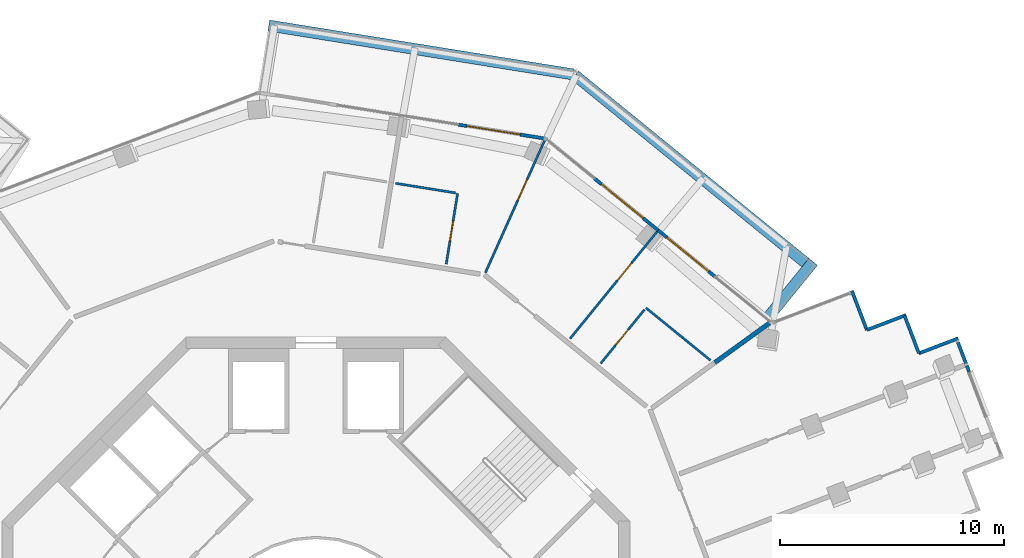
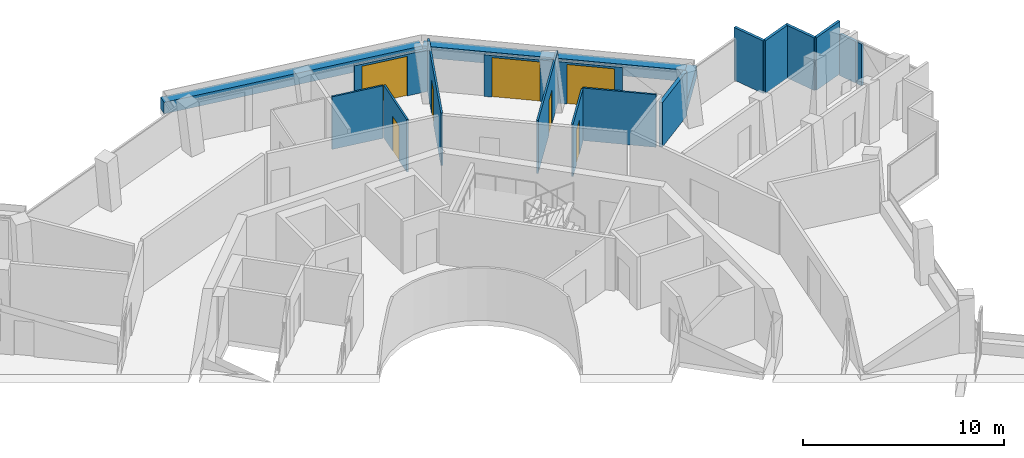
# One storey, part 20 of 23: 19 walls, 7 doors, 7 openings.
"""IFC4 building model written with IfcOpenShell, lengths in metres."""

import ifcopenshell
import ifcopenshell.guid

model = None  # the IFC model being written
_history = None  # IfcOwnerHistory: only IFC2X3 demands one
_inside = {}  # id of a spatial element -> (the spatial element, [elements in it])
_under = {}  # id of a project, library or spatial element -> (it, [spatial elements below it])
_declared = {}  # id of a project -> (the project, [libraries it declares])
_typed = {}  # id of a type object -> (the type object, [elements of that type])
_made_of = {}  # id of a material, layer set ... -> (it, [elements and type objects made of it])


def new_model(schema):
    """Start an empty IFC model of exactly this schema.

    Asked for "IFC4X3", IfcOpenShell would pick the latest addendum, in which some entities
    have other attributes; the version numbers below select the first issue.
    IFC2X3 requires an IfcOwnerHistory on every rooted entity: one is made here for all.
    """
    global model, _history
    if schema == "IFC4X3":
        model = ifcopenshell.file(schema_version=(4, 3, 0, 0))
    else:
        model = ifcopenshell.file(schema=schema)
    _inside.clear()
    _under.clear()
    _declared.clear()
    _typed.clear()
    _made_of.clear()
    _history = None
    if model.schema == "IFC2X3":
        org = make("IfcOrganization", Name="unknown")
        user = make(
            "IfcPersonAndOrganization",
            ThePerson=make("IfcPerson", FamilyName="unknown"),
            TheOrganization=org,
        )
        app = make(
            "IfcApplication",
            ApplicationDeveloper=org,
            Version="unknown",
            ApplicationFullName="unknown",
            ApplicationIdentifier="unknown",
        )
        _history = make(
            "IfcOwnerHistory",
            OwningUser=user,
            OwningApplication=app,
            ChangeAction="ADDED",
            CreationDate=0,
        )
    return model


def make(cls, **values):
    """One entity of the class cls with the attributes given. An attribute that is None is left unset."""
    return model.create_entity(
        cls, **{name: value for name, value in values.items() if value is not None}
    )


def rooted(cls, **values):
    """An entity with a GlobalId (a new one), such as an element, a storey or a relation."""
    return make(cls, GlobalId=ifcopenshell.guid.new(), OwnerHistory=_history, **values)


def si_unit(unit_type, name, prefix=None):
    """IfcSIUnit, for example si_unit("LENGTHUNIT", "METRE", prefix="MILLI")."""
    return make("IfcSIUnit", UnitType=unit_type, Prefix=prefix, Name=name)


def assignment(units):
    """IfcUnitAssignment: the units of a project."""
    return None if units is None else make("IfcUnitAssignment", Units=units)


def point(xyz):
    """IfcCartesianPoint."""
    return None if xyz is None else make("IfcCartesianPoint", Coordinates=xyz)


def direction(xyz):
    """IfcDirection."""
    return None if xyz is None else make("IfcDirection", DirectionRatios=xyz)


def frame(location, z_axis=None, x_axis=None):
    """IfcAxis2Placement3D, a coordinate frame: its origin and axes. An axis left out is left unset."""
    return make(
        "IfcAxis2Placement3D",
        Location=point(location),
        Axis=direction(z_axis),
        RefDirection=direction(x_axis),
    )


def frame_2d(location, x_axis=None):
    """IfcAxis2Placement2D, a coordinate frame in the plane: its origin and x axis."""
    return make(
        "IfcAxis2Placement2D", Location=point(location), RefDirection=direction(x_axis)
    )


def origin():
    """The frame at (0, 0, 0) with its axes left unset."""
    return frame((0.0, 0.0, 0.0))


def place(relative_to, where):
    """IfcLocalPlacement: puts the frame where relative to a parent placement (None: the world)."""
    return make(
        "IfcLocalPlacement", PlacementRelTo=relative_to, RelativePlacement=where
    )


def context(
    kind, dimensions, precision=None, world=None, true_north=None, identifier=None
):
    """IfcGeometricRepresentationContext, for example the 3D "Model" context."""
    return make(
        "IfcGeometricRepresentationContext",
        ContextIdentifier=identifier,
        ContextType=kind,
        CoordinateSpaceDimension=dimensions,
        Precision=precision,
        WorldCoordinateSystem=world,
        TrueNorth=true_north,
    )


def subcontext(parent, identifier, kind, view, scale=None):
    """IfcGeometricRepresentationSubContext, for example "Body" below "Model"."""
    return make(
        "IfcGeometricRepresentationSubContext",
        ContextIdentifier=identifier,
        ContextType=kind,
        ParentContext=parent,
        TargetScale=scale,
        TargetView=view,
    )


def project(units=None, contexts=None):
    """IfcProject with its units and contexts."""
    return rooted(
        "IfcProject",
        Name="project",
        RepresentationContexts=contexts,
        UnitsInContext=assignment(units),
    )


def spatial(cls, under=None, at=None, **own):
    """A site, building, storey or space (cls), placed at a placement, below another one or the project."""
    s = rooted(cls, ObjectPlacement=at, **own)
    if under is not None:
        _under.setdefault(under.id(), (under, []))[1].append(s)
    return s


def profile(cls, at=None, kind="AREA", **sizes):
    """A parametric profile (cls). Its sizes go by their IFC names, for example OverallWidth=200.0."""
    return make(cls, ProfileType=kind, Position=at, **sizes)


def rectangle(**sizes):
    """IfcRectangleProfileDef."""
    return profile("IfcRectangleProfileDef", **sizes)


def extrude(swept, where, along, depth):
    """IfcExtrudedAreaSolid: the profile swept, set in the frame where, extruded along a direction by depth."""
    return make(
        "IfcExtrudedAreaSolid",
        SweptArea=swept,
        Position=where,
        ExtrudedDirection=direction(along),
        Depth=depth,
    )


def shape(context_of_items, identifier, shape_type, items):
    """IfcShapeRepresentation: the items that make up one representation, for example the "Body"."""
    return make(
        "IfcShapeRepresentation",
        ContextOfItems=context_of_items,
        RepresentationIdentifier=identifier,
        RepresentationType=shape_type,
        Items=items,
    )


def material(Name=None, Category=None):
    """IfcMaterial."""
    return make("IfcMaterial", Name=Name, Category=Category)


def layer(
    of_material, thickness, ventilated=None, Name=None, Category=None, Priority=None
):
    """IfcMaterialLayer: one layer of a wall or slab, of a material (None: an air gap)."""
    return make(
        "IfcMaterialLayer",
        Material=of_material,
        LayerThickness=thickness,
        IsVentilated=ventilated,
        Name=Name,
        Category=Category,
        Priority=Priority,
    )


def layer_set(layers, Name=None):
    """IfcMaterialLayerSet."""
    return make("IfcMaterialLayerSet", MaterialLayers=layers, LayerSetName=Name)


def made_of(thing, what):
    """Note that an element or type object is made of a material, layer set ...; save() writes the relation."""
    if what is not None:
        _made_of.setdefault(what.id(), (what, []))[1].append(thing)
    return thing


def type_object(cls, material=None, **own):
    """A type object (cls), such as IfcWallType, which elements share."""
    return made_of(rooted(cls, **own), material)


def element(
    cls,
    number,
    at=None,
    inside=None,
    cuts=None,
    type_object=None,
    material=None,
    context=None,
    identifier="Body",
    shape_type=None,
    held_by="IfcProductDefinitionShape",
    body=None,
    shapes=None,
    **own,
):
    """One element of the class cls, such as IfcWall. Its Tag is "e" and its number.

    at: its placement. inside: the storey or other place that contains it. cuts: it is an
    opening in that element (IfcRelVoidsElement). A single representation is given by context,
    identifier, shape_type and body (its items); several are given by shapes. held_by: the class
    of the entity that holds the representations. save() writes the other relations.
    """
    e = rooted(cls, Tag="e%d" % number, ObjectPlacement=at, **own)
    if body is not None:
        shapes = [shape(context, identifier, shape_type, body)]
    if shapes is not None:
        e.Representation = make(held_by, Representations=shapes)
    if inside is not None:
        _inside.setdefault(inside.id(), (inside, []))[1].append(e)
    if cuts is not None:
        rooted(
            "IfcRelVoidsElement", RelatingBuildingElement=cuts, RelatedOpeningElement=e
        )
    if type_object is not None:
        _typed.setdefault(type_object.id(), (type_object, []))[1].append(e)
    return made_of(e, material)


def fill(opening, filler):
    """IfcRelFillsElement: the door or window that sits in an opening."""
    return rooted(
        "IfcRelFillsElement",
        RelatingOpeningElement=opening,
        RelatedBuildingElement=filler,
    )


def aggregate(whole, parts):
    """IfcRelAggregates: a whole, such as a stair, and the parts it consists of."""
    return rooted("IfcRelAggregates", RelatingObject=whole, RelatedObjects=parts)


def save(model, path):
    """Write the relations noted so far, then the file.

    IfcRelAggregates (storeys below a building ...), IfcRelContainedInSpatialStructure (elements
    in a storey), IfcRelDefinesByType, IfcRelAssociatesMaterial and IfcRelDeclares: one each for
    every whole, place, type object, material and project.
    """
    for whole, parts in _under.values():
        aggregate(whole, parts)
    for where, things in _inside.values():
        rooted(
            "IfcRelContainedInSpatialStructure",
            RelatedElements=things,
            RelatingStructure=where,
        )
    for kind, things in _typed.values():
        rooted("IfcRelDefinesByType", RelatedObjects=things, RelatingType=kind)
    for what, things in _made_of.values():
        rooted("IfcRelAssociatesMaterial", RelatedObjects=things, RelatingMaterial=what)
    for by, libraries in _declared.values():
        rooted("IfcRelDeclares", RelatingContext=by, RelatedDefinitions=libraries)
    model.write(path)


model = new_model("IFC4")

# Units and contexts
model_context = context("Model", 3, precision=1e-05, world=origin(), true_north=direction((0.0, 1.0)))
body_context = subcontext(model_context, "Body", "Model", "MODEL_VIEW")
ifc_project = project(units=[si_unit("LENGTHUNIT", "METRE"), si_unit("AREAUNIT", "SQUARE_METRE"), si_unit("VOLUMEUNIT", "CUBIC_METRE"), si_unit("PLANEANGLEUNIT", "RADIAN"), si_unit("MASSUNIT", "GRAM", prefix="KILO")], contexts=[model_context])

# Site, building, storey
site_placement = place(None, origin())
site = spatial("IfcSite", under=ifc_project, at=site_placement, CompositionType="ELEMENT")
building_placement = place(site_placement, origin())
building = spatial("IfcBuilding", under=site, at=building_placement, Name="Verdalira Terraces Hotel", CompositionType="ELEMENT")
storey_placement = place(building_placement, frame((0.0, 0.0, 241.0)))
storey = spatial("IfcBuildingStorey", under=building, at=storey_placement, Name="L59", CompositionType="ELEMENT", Elevation=241.0)

# Walls
ifc_material_1 = material(Name="Concrete C40", Category="concrete")
ifc_layer_1 = layer(ifc_material_1, 0.5)
ifc_layer_set_1 = layer_set([ifc_layer_1], Name="Balcony planter trough with tree")
wall_type_1 = type_object("IfcWallType", Name="Balcony planter trough with tree", PredefinedType="SOLIDWALL", material=ifc_layer_set_1)
wall_1_placement = place(storey_placement, frame((20.155273, 14.877686, 0.0), z_axis=(0.0, 0.0, 1.0), x_axis=(0.630957466, 0.775817424, 0.0)))
element("IfcWall", 1, at=wall_1_placement, inside=storey, type_object=wall_type_1, Name="Balcony planter", PredefinedType="SOLIDWALL", context=body_context, shape_type="SweptSolid", body=[
    extrude(rectangle(XDim=3.19873, YDim=0.5, at=frame_2d((1.599365, 0.0))), origin(), (0.0, 0.0, 1.0), 0.699951),
])
wall_2_placement = place(storey_placement, frame((21.822021, 17.323242, 0.0), z_axis=(0.0, 0.0, 1.0), x_axis=(-0.775832684, 0.630938702, 0.0)))
element("IfcWall", 2, at=wall_2_placement, inside=storey, type_object=wall_type_1, Name="Balcony planter", PredefinedType="SOLIDWALL", context=body_context, shape_type="SweptSolid", body=[
    extrude(rectangle(XDim=13.223633, YDim=0.5, at=frame_2d((6.611816, 0.0))), origin(), (0.0, 0.0, 1.0), 0.699951),
])
wall_3_placement = place(storey_placement, frame((11.444824, 25.719482, 0.0), z_axis=(0.0, 0.0, 1.0), x_axis=(-0.987360464, 0.158490737, 0.0)))
element("IfcWall", 3, at=wall_3_placement, inside=storey, type_object=wall_type_1, Name="Balcony planter", PredefinedType="SOLIDWALL", context=body_context, shape_type="SweptSolid", body=[
    extrude(rectangle(XDim=13.723389, YDim=0.5, at=frame_2d((6.861816, 0.0))), origin(), (0.0, 0.0, 1.0), 0.699951),
])
ifc_material_2 = material(Name="Moisture-resistant gypsum board partition")
ifc_layer_2 = layer(ifc_material_2, 0.10009765625)
ifc_layer_set_2 = layer_set([ifc_layer_2], Name="Bathroom partition 100 mm")
wall_type_2 = type_object("IfcWallType", Name="Bathroom partition 100 mm", PredefinedType="PARTITIONING", material=ifc_layer_set_2)
wall_4_placement = place(storey_placement, frame((6.217041, 20.431152, 0.0), z_axis=(0.0, 0.0, 1.0), x_axis=(-0.987358687, 0.158501811, 0.0)))
element("IfcWall", 4, at=wall_4_placement, inside=storey, type_object=wall_type_2, Name="Bathroom partition", PredefinedType="PARTITIONING", context=body_context, shape_type="SweptSolid", body=[
    extrude(rectangle(XDim=2.700195, YDim=0.100098, at=frame_2d((1.350098, 0.0))), origin(), (0.0, 0.0, 1.0), 3.189941),
])

# Wall, opening, door
wall_5_placement = place(storey_placement, frame((5.808594, 17.255859, 0.0), z_axis=(0.0, 0.0, 1.0), x_axis=(0.158469573, 0.987363861, 0.0)))
wall_5 = element("IfcWall", 5, at=wall_5_placement, inside=storey, type_object=wall_type_2, Name="Bathroom partition", PredefinedType="PARTITIONING", context=body_context, shape_type="SweptSolid", body=[
    extrude(rectangle(XDim=3.199951, YDim=0.100098, at=frame_2d((1.600098, 0.0))), origin(), (0.0, 0.0, 1.0), 3.189941),
])
opening_1_placement = place(wall_5_placement, frame((1.050049, 0.0, 0.0)))
opening_1 = element("IfcOpeningElement", 6, at=opening_1_placement, cuts=wall_5, Name="Opening L59-126", PredefinedType="OPENING", context=body_context, shape_type="SweptSolid", body=[
    extrude(rectangle(XDim=0.899902, YDim=2.100098, at=frame_2d((0.449951, 1.050049))), frame((0.0, 0.060059, 0.0), z_axis=(0.0, -1.0, 0.0), x_axis=(1.0, 0.0, 0.0)), (0.0, 0.0, 1.0), 0.120117),
])
ifc_material_3 = material(Name="Timber door", Category="wood")
door_type_1 = type_object("IfcDoorType", Name="Bathroom door 900 x 2100", OperationType="NOTDEFINED", PredefinedType="DOOR", material=ifc_material_3)
door_1_placement = place(opening_1_placement, origin())
door_1 = element("IfcDoor", 7, at=door_1_placement, inside=storey, type_object=door_type_1, Name="Bathroom door 5909", OperationType="SINGLE_SWING_RIGHT", OverallHeight=2.10009765625, OverallWidth=0.89990234375, PredefinedType="DOOR", context=body_context, shape_type="SweptSolid", body=[
    extrude(rectangle(XDim=0.899902, YDim=2.100098, at=frame_2d((0.449951, 1.050049))), frame((0.0, 0.024902, 0.0), z_axis=(0.0, -1.0, 0.0), x_axis=(1.0, 0.0, 0.0)), (0.0, 0.0, 1.0), 0.050049),
])
fill(opening_1, door_1)

wall_6_placement = place(storey_placement, frame((7.555176, 16.874023, 0.0), z_axis=(0.0, 0.0, 1.0), x_axis=(0.408638018, 0.912696538, 0.0)))
wall_6 = element("IfcWall", 8, at=wall_6_placement, inside=storey, type_object=wall_type_2, Name="Bathroom partition", PredefinedType="PARTITIONING", context=body_context, shape_type="SweptSolid", body=[
    extrude(rectangle(XDim=6.47583, YDim=0.100098, at=frame_2d((3.237793, 0.0))), origin(), (0.0, 0.0, 1.0), 3.189941),
])
opening_2_placement = place(wall_6_placement, frame((3.550049, 0.0, 0.0)))
opening_2 = element("IfcOpeningElement", 9, at=opening_2_placement, cuts=wall_6, Name="Opening L59-124", PredefinedType="OPENING", context=body_context, shape_type="SweptSolid", body=[
    extrude(rectangle(XDim=1.0, YDim=2.100098, at=frame_2d((0.5, 1.050049))), frame((0.0, 0.060059, 0.0), z_axis=(0.0, -1.0, 0.0), x_axis=(1.0, 0.0, 0.0)), (0.0, 0.0, 1.0), 0.120117),
])
ifc_material_4 = material(Name="Timber door", Category="wood")
door_type_2 = type_object("IfcDoorType", Name="Suite internal door 1000 x 2100", OperationType="NOTDEFINED", PredefinedType="DOOR", material=ifc_material_4)
door_2_placement = place(opening_2_placement, origin())
door_2 = element("IfcDoor", 10, at=door_2_placement, inside=storey, type_object=door_type_2, Name="Suite internal door 5909", OperationType="SINGLE_SWING_LEFT", OverallHeight=2.10009765625, OverallWidth=1.0, PredefinedType="DOOR", context=body_context, shape_type="SweptSolid", body=[
    extrude(rectangle(XDim=1.0, YDim=2.100098, at=frame_2d((0.5, 1.050049))), frame((0.0, 0.024902, 0.0), z_axis=(0.0, -1.0, 0.0), x_axis=(1.0, 0.0, 0.0)), (0.0, 0.0, 1.0), 0.050049),
])
fill(opening_2, door_2)

wall_7_placement = place(storey_placement, frame((15.211182, 18.703857, 0.0), z_axis=(0.0, 0.0, 1.0), x_axis=(-0.63095871, -0.775816413, 0.0)))
wall_7 = element("IfcWall", 11, at=wall_7_placement, inside=storey, type_object=wall_type_2, Name="Bathroom partition", PredefinedType="PARTITIONING", context=body_context, shape_type="SweptSolid", body=[
    extrude(rectangle(XDim=6.149902, YDim=0.100098, at=frame_2d((3.074951, 0.0))), origin(), (0.0, 0.0, 1.0), 3.189941),
])
opening_3_placement = place(wall_7_placement, frame((1.800049, 0.0, 0.0)))
opening_3 = element("IfcOpeningElement", 12, at=opening_3_placement, cuts=wall_7, Name="Opening L59-123", PredefinedType="OPENING", context=body_context, shape_type="SweptSolid", body=[
    extrude(rectangle(XDim=1.0, YDim=2.100098, at=frame_2d((0.5, 1.050049))), frame((0.0, 0.060059, 0.0), z_axis=(0.0, -1.0, 0.0), x_axis=(1.0, 0.0, 0.0)), (0.0, 0.0, 1.0), 0.120117),
])
door_3_placement = place(opening_3_placement, origin())
door_3 = element("IfcDoor", 13, at=door_3_placement, inside=storey, type_object=door_type_2, Name="Suite internal door 5909", OperationType="SINGLE_SWING_LEFT", OverallHeight=2.10009765625, OverallWidth=1.0, PredefinedType="DOOR", context=body_context, shape_type="SweptSolid", body=[
    extrude(rectangle(XDim=1.0, YDim=2.100098, at=frame_2d((0.5, 1.050049))), frame((0.0, 0.024902, 0.0), z_axis=(0.0, -1.0, 0.0), x_axis=(1.0, 0.0, 0.0)), (0.0, 0.0, 1.0), 0.050049),
])
fill(opening_3, door_3)

wall_8_placement = place(storey_placement, frame((14.650879, 15.228271, 0.0), z_axis=(0.0, 0.0, 1.0), x_axis=(-0.630936464, -0.775834504, 0.0)))
wall_8 = element("IfcWall", 14, at=wall_8_placement, inside=storey, type_object=wall_type_2, Name="Bathroom partition", PredefinedType="PARTITIONING", context=body_context, shape_type="SweptSolid", body=[
    extrude(rectangle(XDim=3.100342, YDim=0.100098, at=frame_2d((1.550293, 0.0))), origin(), (0.0, 0.0, 1.0), 3.189941),
])
opening_4_placement = place(wall_8_placement, frame((1.149902, 0.0, 0.0)))
opening_4 = element("IfcOpeningElement", 15, at=opening_4_placement, cuts=wall_8, Name="Opening L59-125", PredefinedType="OPENING", context=body_context, shape_type="SweptSolid", body=[
    extrude(rectangle(XDim=0.899902, YDim=2.100098, at=frame_2d((0.449951, 1.050049))), frame((0.0, 0.060059, 0.0), z_axis=(0.0, -1.0, 0.0), x_axis=(1.0, 0.0, 0.0)), (0.0, 0.0, 1.0), 0.120117),
])
door_4_placement = place(opening_4_placement, origin())
door_4 = element("IfcDoor", 16, at=door_4_placement, inside=storey, type_object=door_type_1, Name="Bathroom door 5909", OperationType="SINGLE_SWING_LEFT", OverallHeight=2.10009765625, OverallWidth=0.89990234375, PredefinedType="DOOR", context=body_context, shape_type="SweptSolid", body=[
    extrude(rectangle(XDim=0.899902, YDim=2.100098, at=frame_2d((0.449951, 1.050049))), frame((0.0, 0.024902, 0.0), z_axis=(0.0, -1.0, 0.0), x_axis=(1.0, 0.0, 0.0)), (0.0, 0.0, 1.0), 0.050049),
])
fill(opening_4, door_4)

# Walls
wall_9_placement = place(storey_placement, frame((17.587646, 12.96875, 0.0), z_axis=(0.0, 0.0, 1.0), x_axis=(-0.775821588, 0.630952346, 0.0)))
element("IfcWall", 17, at=wall_9_placement, inside=storey, type_object=wall_type_2, Name="Bathroom partition", PredefinedType="PARTITIONING", context=body_context, shape_type="SweptSolid", body=[
    extrude(rectangle(XDim=3.704102, YDim=0.100098, at=frame_2d((1.852051, 0.0))), origin(), (0.0, 0.0, 1.0), 3.189941),
])
ifc_material_5 = material(Name="Fire-rated gypsum board wall")
ifc_layer_3 = layer(ifc_material_5, 0.199951171875)
ifc_layer_set_3 = layer_set([ifc_layer_3], Name="Demising wall 200 mm to beam soffit")
wall_type_3 = type_object("IfcWallType", Name="Demising wall 200 mm to beam soffit", PredefinedType="SOLIDWALL", material=ifc_layer_set_3)
wall_10_placement = place(storey_placement, frame((17.787109, 12.866211, 0.0), z_axis=(0.0, 0.0, 1.0), x_axis=(0.810251443, 0.586082417, 0.0)))
element("IfcWall", 18, at=wall_10_placement, inside=storey, type_object=wall_type_3, Name="Demising wall", PredefinedType="SOLIDWALL", context=body_context, shape_type="SweptSolid", body=[
    extrude(rectangle(XDim=3.01123, YDim=0.199951, at=frame_2d((1.505615, 0.0))), origin(), (0.0, 0.0, 1.0), 2.689941),
])
ifc_material_6 = material(Name="Terracotta cladding", Category="masonry")
ifc_layer_4 = layer(ifc_material_6, 0.14990234375)
ifc_layer_set_4 = layer_set([ifc_layer_4], Name="Terracotta clad wall 150")
wall_type_4 = type_object("IfcWallType", Name="Terracotta clad wall 150", PredefinedType="SOLIDWALL", material=ifc_layer_set_4)
wall_11_placement = place(storey_placement, frame((28.640137, 13.94873, 0.0), z_axis=(0.0, 0.0, 1.0), x_axis=(-0.934345338, -0.356368895, 0.0)))
element("IfcWall", 19, at=wall_11_placement, inside=storey, type_object=wall_type_4, Name="Terracotta cladding wall", PredefinedType="SOLIDWALL", context=body_context, shape_type="SweptSolid", body=[
    extrude(rectangle(XDim=1.875, YDim=0.149902, at=frame_2d((0.9375, 0.0))), origin(), (0.0, 0.0, 1.0), 3.189941),
])
wall_12_placement = place(storey_placement, frame((26.888184, 13.280518, 0.0), z_axis=(0.0, 0.0, 1.0), x_axis=(-0.356350676, 0.934352287, 0.0)))
element("IfcWall", 20, at=wall_12_placement, inside=storey, type_object=wall_type_4, Name="Terracotta cladding wall", PredefinedType="SOLIDWALL", context=body_context, shape_type="SweptSolid", body=[
    extrude(rectangle(XDim=1.799805, YDim=0.149902, at=frame_2d((0.899902, 0.0))), origin(), (0.0, 0.0, 1.0), 3.189941),
])
wall_13_placement = place(storey_placement, frame((26.316895, 14.989014, 0.0), z_axis=(0.0, 0.0, 1.0), x_axis=(-0.934345338, -0.356368895, 0.0)))
element("IfcWall", 21, at=wall_13_placement, inside=storey, type_object=wall_type_4, Name="Terracotta cladding wall", PredefinedType="SOLIDWALL", context=body_context, shape_type="SweptSolid", body=[
    extrude(rectangle(XDim=1.875, YDim=0.149902, at=frame_2d((0.9375, 0.0))), origin(), (0.0, 0.0, 1.0), 3.189941),
])
wall_14_placement = place(storey_placement, frame((24.564941, 14.320801, 0.0), z_axis=(0.0, 0.0, 1.0), x_axis=(-0.356412254, 0.934328799, 0.0)))
element("IfcWall", 22, at=wall_14_placement, inside=storey, type_object=wall_type_4, Name="Terracotta cladding wall", PredefinedType="SOLIDWALL", context=body_context, shape_type="SweptSolid", body=[
    extrude(rectangle(XDim=1.874756, YDim=0.149902, at=frame_2d((0.9375, 0.0))), origin(), (0.0, 0.0, 1.0), 3.189941),
])
ifc_material_7 = material(Name="Terracotta cladding", Category="masonry")
ifc_layer_5 = layer(ifc_material_7, 0.14990234375)
ifc_layer_set_5 = layer_set([ifc_layer_5], Name="Terracotta column pier 150")
wall_type_5 = type_object("IfcWallType", Name="Terracotta column pier 150", PredefinedType="SOLIDWALL", material=ifc_layer_set_5)
wall_15_placement = place(storey_placement, frame((29.127197, 12.46167, 0.0), z_axis=(0.0, 0.0, 1.0), x_axis=(-0.356469091, 0.934307116, 0.0)))
element("IfcWall", 23, at=wall_15_placement, inside=storey, type_object=wall_type_5, Name="Terracotta column pier", PredefinedType="SOLIDWALL", context=body_context, shape_type="SweptSolid", body=[
    extrude(rectangle(XDim=0.300049, YDim=0.149902, at=frame_2d((0.149902, 0.0))), origin(), (0.0, 0.0, 1.0), 2.524902),
])
wall_16_placement = place(storey_placement, frame((28.991699, 12.81665, 0.0), z_axis=(0.0, 0.0, 1.0), x_axis=(-0.356479204, 0.934303257, 0.0)))
element("IfcWall", 24, at=wall_16_placement, inside=storey, type_object=wall_type_5, Name="Terracotta column pier", PredefinedType="SOLIDWALL", context=body_context, shape_type="SweptSolid", body=[
    extrude(rectangle(XDim=1.028076, YDim=0.149902, at=frame_2d((0.51416, 0.0))), origin(), (0.0, 0.0, 1.0), 2.524902),
])

# Wall, opening, door
ifc_material_8 = material(Name="Terracotta cladding", Category="masonry")
ifc_layer_6 = layer(ifc_material_8, 0.14990234375)
ifc_layer_set_6 = layer_set([ifc_layer_6], Name="Terracotta door pier 150")
wall_type_6 = type_object("IfcWallType", Name="Terracotta door pier 150", PredefinedType="SOLIDWALL", material=ifc_layer_set_6)
wall_17_placement = place(storey_placement, frame((17.818604, 16.679932, 0.0), z_axis=(0.0, 0.0, 1.0), x_axis=(-0.775849163, 0.630918438, 0.0)))
wall_17 = element("IfcWall", 25, at=wall_17_placement, inside=storey, type_object=wall_type_6, Name="Terracotta door pier", PredefinedType="SOLIDWALL", context=body_context, shape_type="SweptSolid", body=[
    extrude(rectangle(XDim=3.300049, YDim=0.149902, at=frame_2d((1.649902, 0.0))), origin(), (0.0, 0.0, 1.0), 2.524902),
])
opening_5_placement = place(wall_17_placement, frame((0.399902, 0.0, 0.0)))
opening_5 = element("IfcOpeningElement", 26, at=opening_5_placement, cuts=wall_17, Name="Opening L59-B12", PredefinedType="OPENING", context=body_context, shape_type="SweptSolid", body=[
    extrude(rectangle(XDim=2.399902, YDim=2.399902, at=frame_2d((1.199951, 1.199951))), frame((0.0, 0.084961, 0.0), z_axis=(0.0, -1.0, 0.0), x_axis=(1.0, 0.0, 0.0)), (0.0, 0.0, 1.0), 0.169922),
])
ifc_material_9 = material(Name="Clear glass", Category="glass")
door_type_3 = type_object("IfcDoorType", Name="Balcony sliding door 2400x2400", OperationType="NOTDEFINED", PredefinedType="DOOR", material=ifc_material_9)
door_5_placement = place(opening_5_placement, origin())
door_5 = element("IfcDoor", 27, at=door_5_placement, inside=storey, type_object=door_type_3, Name="Balcony sliding door", OperationType="SLIDING_TO_RIGHT", OverallHeight=2.39990234375, OverallWidth=2.39990234375, PredefinedType="DOOR", context=body_context, shape_type="SweptSolid", body=[
    extrude(rectangle(XDim=2.399902, YDim=2.399902, at=frame_2d((1.199951, 1.199951))), frame((0.0, 0.024902, 0.0), z_axis=(0.0, -1.0, 0.0), x_axis=(1.0, 0.0, 0.0)), (0.0, 0.0, 1.0), 0.050049),
])
fill(opening_5, door_5)

wall_18_placement = place(storey_placement, frame((15.258301, 18.761963, 0.0), z_axis=(0.0, 0.0, 1.0), x_axis=(-0.775807944, 0.630969122, 0.0)))
wall_18 = element("IfcWall", 28, at=wall_18_placement, inside=storey, type_object=wall_type_6, Name="Terracotta door pier", PredefinedType="SOLIDWALL", context=body_context, shape_type="SweptSolid", body=[
    extrude(rectangle(XDim=3.661133, YDim=0.149902, at=frame_2d((1.830566, 0.0))), origin(), (0.0, 0.0, 1.0), 2.524902),
])
opening_6_placement = place(wall_18_placement, frame((0.861328, 0.0, 0.0)))
opening_6 = element("IfcOpeningElement", 29, at=opening_6_placement, cuts=wall_18, Name="Opening L59-B13", PredefinedType="OPENING", context=body_context, shape_type="SweptSolid", body=[
    extrude(rectangle(XDim=2.399902, YDim=2.399902, at=frame_2d((1.199951, 1.199951))), frame((0.0, 0.084961, 0.0), z_axis=(0.0, -1.0, 0.0), x_axis=(1.0, 0.0, 0.0)), (0.0, 0.0, 1.0), 0.169922),
])
door_6_placement = place(opening_6_placement, origin())
door_6 = element("IfcDoor", 30, at=door_6_placement, inside=storey, type_object=door_type_3, Name="Balcony sliding door", OperationType="SLIDING_TO_LEFT", OverallHeight=2.39990234375, OverallWidth=2.39990234375, PredefinedType="DOOR", context=body_context, shape_type="SweptSolid", body=[
    extrude(rectangle(XDim=2.399902, YDim=2.399902, at=frame_2d((1.199951, 1.199951))), frame((0.0, 0.024902, 0.0), z_axis=(0.0, -1.0, 0.0), x_axis=(1.0, 0.0, 0.0)), (0.0, 0.0, 1.0), 0.050049),
])
fill(opening_6, door_6)

wall_19_placement = place(storey_placement, frame((10.1521, 22.863281, 0.0), z_axis=(0.0, 0.0, 1.0), x_axis=(-0.987358468, 0.158503171, 0.0)))
wall_19 = element("IfcWall", 31, at=wall_19_placement, inside=storey, type_object=wall_type_6, Name="Terracotta door pier", PredefinedType="SOLIDWALL", context=body_context, shape_type="SweptSolid", body=[
    extrude(rectangle(XDim=3.863037, YDim=0.149902, at=frame_2d((1.931641, 0.0))), origin(), (0.0, 0.0, 1.0), 2.524902),
])
opening_7_placement = place(wall_19_placement, frame((1.062988, 0.0, 0.0)))
opening_7 = element("IfcOpeningElement", 32, at=opening_7_placement, cuts=wall_19, Name="Opening L59-B14", PredefinedType="OPENING", context=body_context, shape_type="SweptSolid", body=[
    extrude(rectangle(XDim=2.399902, YDim=2.399902, at=frame_2d((1.199951, 1.199951))), frame((0.0, 0.084961, 0.0), z_axis=(0.0, -1.0, 0.0), x_axis=(1.0, 0.0, 0.0)), (0.0, 0.0, 1.0), 0.169922),
])
door_7_placement = place(opening_7_placement, origin())
door_7 = element("IfcDoor", 33, at=door_7_placement, inside=storey, type_object=door_type_3, Name="Balcony sliding door", OperationType="SLIDING_TO_LEFT", OverallHeight=2.39990234375, OverallWidth=2.39990234375, PredefinedType="DOOR", context=body_context, shape_type="SweptSolid", body=[
    extrude(rectangle(XDim=2.399902, YDim=2.399902, at=frame_2d((1.199951, 1.199951))), frame((0.0, 0.024902, 0.0), z_axis=(0.0, -1.0, 0.0), x_axis=(1.0, 0.0, 0.0)), (0.0, 0.0, 1.0), 0.050049),
])
fill(opening_7, door_7)

save(model, "model.ifc")
